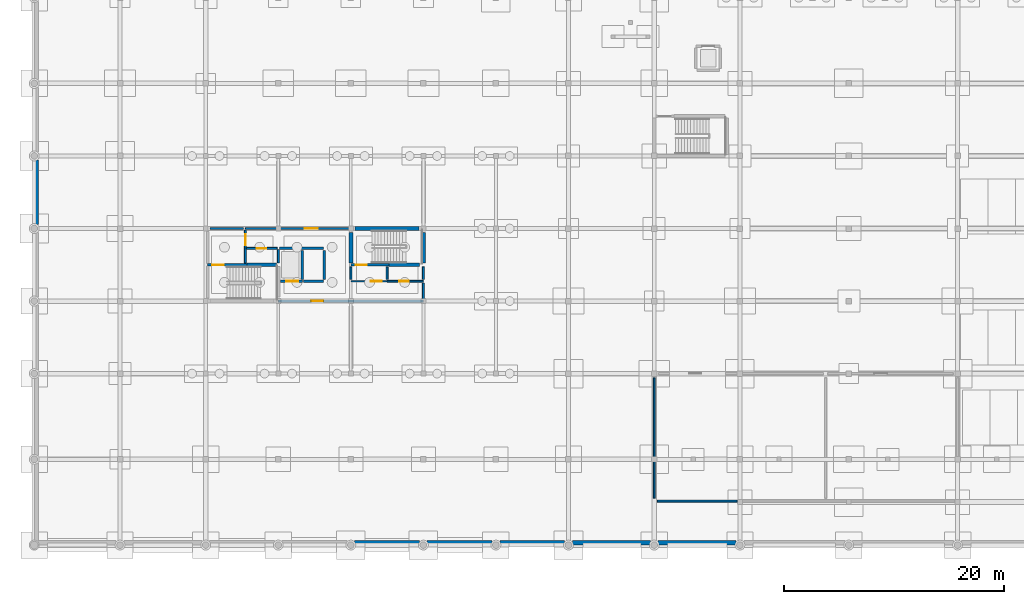
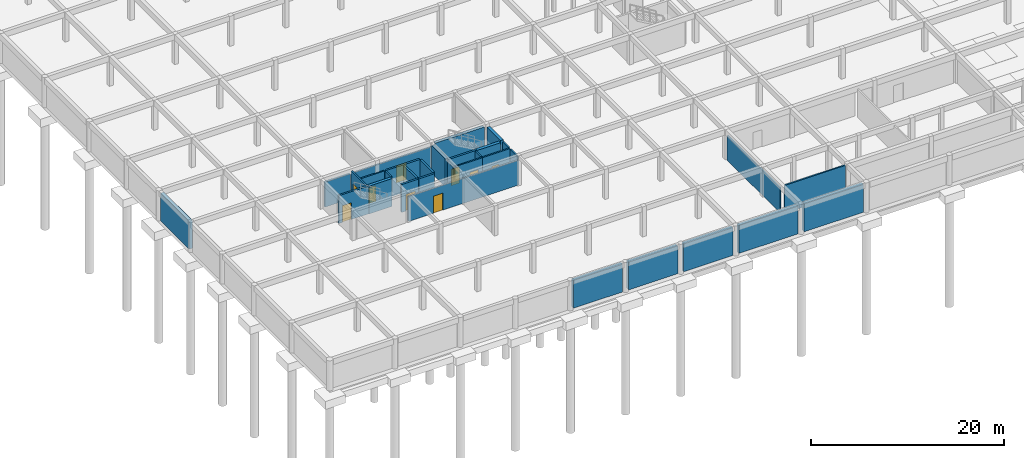
# One storey, part 23 of 37: 32 walls, 9 doors, 9 openings.
"""IFC4 building model written with IfcOpenShell, lengths in metres."""

from ifc_helpers import new_model, si_unit, direction, frame, frame_2d, origin, place, context, subcontext, project, spatial, rectangle, extrude, material, layer, layer_set, type_object, element, fill, save


model = new_model("IFC4")

# Units and contexts
model_context = context("Model", 3, precision=1e-05, world=origin(), true_north=direction((0.0, 1.0)))
body_context = subcontext(model_context, "Body", "Model", "MODEL_VIEW")
ifc_project = project(units=[si_unit("LENGTHUNIT", "METRE"), si_unit("AREAUNIT", "SQUARE_METRE"), si_unit("VOLUMEUNIT", "CUBIC_METRE"), si_unit("PLANEANGLEUNIT", "RADIAN"), si_unit("MASSUNIT", "GRAM", prefix="KILO")], contexts=[model_context])

# Site, building, storey
site_placement = place(None, origin())
site = spatial("IfcSite", under=ifc_project, at=site_placement, CompositionType="ELEMENT")
building_placement = place(site_placement, origin())
building = spatial("IfcBuilding", under=site, at=building_placement, Name="Kernevlak Ridge Housing Community", CompositionType="ELEMENT")
storey_placement = place(building_placement, frame((0.0, 0.0, -3.800048828125)))
storey = spatial("IfcBuildingStorey", under=building, at=storey_placement, Name="B1", CompositionType="ELEMENT", Elevation=-3.800048828125)

# Wall, opening, door
ifc_material_1 = material(Name="Concrete C35/45", Category="concrete")
ifc_layer_1 = layer(ifc_material_1, 0.22509765625, Name="Concrete C35/45")
ifc_layer_set_1 = layer_set([ifc_layer_1], Name="Concrete C35/45")
wall_type_1 = type_object("IfcWallType", Name="PW-01", PredefinedType="STANDARD", material=ifc_layer_set_1)
wall_1_placement = place(storey_placement, frame((15.75, 25.5, 0.0), z_axis=(0.0, 0.0, 1.0), x_axis=(1.0, 0.0, 0.0)))
wall_1 = element("IfcWall", 1, at=wall_1_placement, inside=storey, type_object=wall_type_1, Name="Interior wall PW-01 WAL-INT-B1-2896", PredefinedType="STANDARD", context=body_context, shape_type="SweptSolid", body=[
    extrude(rectangle(XDim=3.60009765625, YDim=0.22509765625, at=frame_2d((1.800048828125, 0.0))), origin(), (0.0, 0.0, 1.0), 3.52001953125),
])
opening_1_placement = place(wall_1_placement, frame((0.449951171875, 0.0, 0.0)))
opening_1 = element("IfcOpeningElement", 2, at=opening_1_placement, cuts=wall_1, Name="Opening E471", PredefinedType="OPENING", context=body_context, shape_type="SweptSolid", body=[
    extrude(rectangle(XDim=1.0400390625, YDim=2.1201171875, at=frame_2d((0.52001953125, 1.06005859375))), frame((0.0, 0.12255859375, 0.0), z_axis=(0.0, -1.0, 0.0), x_axis=(1.0, 0.0, 0.0)), (0.0, 0.0, 1.0), 0.2451171875),
])
ifc_material_2 = material(Name="Fire-rated sheet steel leaf", Category="steel")
door_type_1 = type_object("IfcDoorType", Name="DT-16", OperationType="NOTDEFINED", PredefinedType="DOOR", material=ifc_material_2)
door_1_placement = place(opening_1_placement, origin())
door_1 = element("IfcDoor", 3, at=door_1_placement, inside=storey, type_object=door_type_1, Name="Block D Stair 1 fire door E471", OperationType="SINGLE_SWING_RIGHT", OverallHeight=2.1201171875, OverallWidth=1.0400390625, PredefinedType="DOOR", context=body_context, shape_type="SweptSolid", body=[
    extrude(rectangle(XDim=1.0400390625, YDim=2.1201171875, at=frame_2d((0.52001953125, 1.06005859375))), frame((0.0, 0.02490234375, 0.0), z_axis=(0.0, -1.0, 0.0), x_axis=(1.0, 0.0, 0.0)), (0.0, 0.0, 1.0), 0.050048828125),
])
fill(opening_1, door_1)

wall_2_placement = place(storey_placement, frame((22.385009765625, 24.0, 0.0), z_axis=(0.0, 0.0, 1.0), x_axis=(1.0, 0.0, 0.0)))
wall_2 = element("IfcWall", 4, at=wall_2_placement, inside=storey, type_object=wall_type_1, Name="Interior wall PW-01 WAL-INT-B1-2900", PredefinedType="STANDARD", context=body_context, shape_type="SweptSolid", body=[
    extrude(rectangle(XDim=2.014892578125, YDim=0.22509765625, at=frame_2d((1.00732421875, 0.0))), origin(), (0.0, 0.0, 1.0), 3.52001953125),
])
opening_2_placement = place(wall_2_placement, frame((0.550048828125, 0.0, 0.0)))
opening_2 = element("IfcOpeningElement", 5, at=opening_2_placement, cuts=wall_2, Name="Opening LD77", PredefinedType="OPENING", context=body_context, shape_type="SweptSolid", body=[
    extrude(rectangle(XDim=1.10009765625, YDim=2.10009765625, at=frame_2d((0.550048828125, 1.050048828125))), frame((0.0, 0.12255859375, 0.0), z_axis=(0.0, -1.0, 0.0), x_axis=(1.0, 0.0, 0.0)), (0.0, 0.0, 1.0), 0.2451171875),
])
ifc_material_3 = material(Name="Stainless steel EN 1.4401", Category="steel")
door_type_2 = type_object("IfcDoorType", Name="DT-LD1", OperationType="DOUBLE_DOOR_SLIDING", PredefinedType="DOOR", material=ifc_material_3)
door_2_placement = place(opening_2_placement, origin())
door_2 = element("IfcDoor", 6, at=door_2_placement, inside=storey, type_object=door_type_2, Name="Lift LF-D1 landing door LD77", OperationType="DOUBLE_DOOR_SLIDING", OverallHeight=2.10009765625, OverallWidth=1.10009765625, PredefinedType="DOOR", context=body_context, shape_type="SweptSolid", body=[
    extrude(rectangle(XDim=1.10009765625, YDim=2.10009765625, at=frame_2d((0.550048828125, 1.050048828125))), frame((0.0, 0.02490234375, 0.0), z_axis=(0.0, -1.0, 0.0), x_axis=(1.0, 0.0, 0.0)), (0.0, 0.0, 1.0), 0.050048828125),
])
fill(opening_2, door_2)

# Walls
wall_3_placement = place(storey_placement, frame((24.47998046875, 24.0, 0.0), z_axis=(0.0, 0.0, 1.0), x_axis=(1.0, 0.0, 0.0)))
element("IfcWall", 7, at=wall_3_placement, inside=storey, type_object=wall_type_1, Name="Interior wall PW-01 WAL-INT-B1-2901", PredefinedType="STANDARD", context=body_context, shape_type="SweptSolid", body=[
    extrude(rectangle(XDim=1.840087890625, YDim=0.22509765625, at=frame_2d((0.919921875, 0.0))), origin(), (0.0, 0.0, 1.0), 3.52001953125),
])
wall_4_placement = place(storey_placement, frame((22.297607421875, 27.0, 0.0), z_axis=(0.0, 0.0, 1.0), x_axis=(1.0, 0.0, 0.0)))
element("IfcWall", 8, at=wall_4_placement, inside=storey, type_object=wall_type_1, Name="Interior wall PW-01 WAL-INT-B1-2902", PredefinedType="STANDARD", context=body_context, shape_type="SweptSolid", body=[
    extrude(rectangle(XDim=4.0224609375, YDim=0.22509765625, at=frame_2d((2.01123046875, 0.0))), origin(), (0.0, 0.0, 1.0), 3.52001953125),
])
for number, where, z_axis, x_axis, name in (
    (9, (24.39990234375, 24.179931640625, 0.0), (0.0, 0.0, 1.0), (0.0, 1.0, 0.0), "Interior wall PW-01 WAL-INT-B1-2904"),
    (10, (26.39990234375, 24.179931640625, 0.0), (0.0, 0.0, 1.0), (0.0, 1.0, 0.0), "Interior wall PW-01 WAL-INT-B1-2905"),
):
    element("IfcWall", number, at=place(storey_placement, frame(where, z_axis=z_axis, x_axis=x_axis)), inside=storey, type_object=wall_type_1, Name=name, PredefinedType="STANDARD", context=body_context, shape_type="SweptSolid", body=[
        extrude(rectangle(XDim=2.64013671875, YDim=0.22509765625, at=frame_2d((1.320068359375, 0.0))), origin(), (0.0, 0.0, 1.0), 3.52001953125),
    ])

# Wall, opening, door
wall_5_placement = place(storey_placement, frame((28.800048828125, 25.5, 0.0), z_axis=(0.0, 0.0, 1.0), x_axis=(1.0, 0.0, 0.0)))
wall_5 = element("IfcWall", 11, at=wall_5_placement, inside=storey, type_object=wall_type_1, Name="Interior wall PW-01 WAL-INT-B1-2906", PredefinedType="STANDARD", context=body_context, shape_type="SweptSolid", body=[
    extrude(rectangle(XDim=3.449951171875, YDim=0.22509765625, at=frame_2d((1.72509765625, 0.0))), origin(), (0.0, 0.0, 1.0), 3.52001953125),
])
opening_3_placement = place(wall_5_placement, frame((0.449951171875, 0.0, 0.0)))
opening_3 = element("IfcOpeningElement", 12, at=opening_3_placement, cuts=wall_5, Name="Opening E474", PredefinedType="OPENING", context=body_context, shape_type="SweptSolid", body=[
    extrude(rectangle(XDim=1.0, YDim=2.10009765625, at=frame_2d((0.5, 1.050048828125))), frame((0.0, 0.12255859375, 0.0), z_axis=(0.0, -1.0, 0.0), x_axis=(1.0, 0.0, 0.0)), (0.0, 0.0, 1.0), 0.2451171875),
])
door_type_3 = type_object("IfcDoorType", Name="DT-05", OperationType="NOTDEFINED", PredefinedType="DOOR", material=ifc_material_2)
door_3_placement = place(opening_3_placement, origin())
door_3 = element("IfcDoor", 13, at=door_3_placement, inside=storey, type_object=door_type_3, Name="Block D Stair 2 fire door E474", OperationType="SINGLE_SWING_LEFT", OverallHeight=2.10009765625, OverallWidth=1.0, PredefinedType="DOOR", context=body_context, shape_type="SweptSolid", body=[
    extrude(rectangle(XDim=1.0, YDim=2.10009765625, at=frame_2d((0.5, 1.050048828125))), frame((0.0, 0.02490234375, 0.0), z_axis=(0.0, -1.0, 0.0), x_axis=(1.0, 0.0, 0.0)), (0.0, 0.0, 1.0), 0.050048828125),
])
fill(opening_3, door_3)

# Wall
wall_6_placement = place(storey_placement, frame((15.97998046875, 28.800048828125, 0.0), z_axis=(0.0, 0.0, 1.0), x_axis=(1.0, 0.0, 0.0)))
element("IfcWall", 14, at=wall_6_placement, inside=storey, type_object=wall_type_1, Name="Interior wall PW-01 WAL-INT-B1-2915", PredefinedType="STANDARD", context=body_context, shape_type="SweptSolid", body=[
    extrude(rectangle(XDim=3.0400390625, YDim=0.22509765625, at=frame_2d((1.52001953125, 0.0))), origin(), (0.0, 0.0, 1.0), 3.150146484375),
])

# Wall, opening, door
ifc_material_4 = material(Name="Concrete block masonry M10", Category="masonry")
ifc_layer_2 = layer(ifc_material_4, 0.175048828125, Name="Concrete block masonry M10")
ifc_layer_set_2 = layer_set([ifc_layer_2], Name="Concrete block masonry M10")
wall_type_2 = type_object("IfcWallType", Name="PW-02", PredefinedType="PARTITIONING", material=ifc_layer_set_2)
wall_7_placement = place(storey_placement, frame((19.199951171875, 25.64990234375, 0.0), z_axis=(0.0, 0.0, 1.0), x_axis=(0.0, 1.0, 0.0)))
wall_7 = element("IfcWall", 15, at=wall_7_placement, inside=storey, type_object=wall_type_2, Name="Interior wall PW-02 WAL-INT-B1-2897", PredefinedType="PARTITIONING", context=body_context, shape_type="SweptSolid", body=[
    extrude(rectangle(XDim=3.0, YDim=0.175048828125, at=frame_2d((1.5, 0.0))), origin(), (0.0, 0.0, 1.0), 3.52001953125),
])
opening_4_placement = place(wall_7_placement, frame((1.64990234375, 0.0, 0.0)))
opening_4 = element("IfcOpeningElement", 16, at=opening_4_placement, cuts=wall_7, Name="Opening E472", PredefinedType="OPENING", context=body_context, shape_type="SweptSolid", body=[
    extrude(rectangle(XDim=1.0, YDim=2.10009765625, at=frame_2d((0.5, 1.050048828125))), frame((0.0, 0.097412109375, 0.0), z_axis=(0.0, -1.0, 0.0), x_axis=(1.0, 0.0, 0.0)), (0.0, 0.0, 1.0), 0.195068359375),
])
door_4_placement = place(opening_4_placement, origin())
door_4 = element("IfcDoor", 17, at=door_4_placement, inside=storey, type_object=door_type_3, Name="Block D Firefighting lobby 1 door E472", OperationType="SINGLE_SWING_LEFT", OverallHeight=2.10009765625, OverallWidth=1.0, PredefinedType="DOOR", context=body_context, shape_type="SweptSolid", body=[
    extrude(rectangle(XDim=1.0, YDim=2.10009765625, at=frame_2d((0.5, 1.050048828125))), frame((0.0, 0.02490234375, 0.0), z_axis=(0.0, -1.0, 0.0), x_axis=(1.0, 0.0, 0.0)), (0.0, 0.0, 1.0), 0.050048828125),
])
fill(opening_4, door_4)

wall_8_placement = place(storey_placement, frame((19.300048828125, 27.0, 0.0), z_axis=(0.0, 0.0, 1.0), x_axis=(1.0, 0.0, 0.0)))
wall_8 = element("IfcWall", 18, at=wall_8_placement, inside=storey, type_object=wall_type_2, Name="Interior wall PW-02 WAL-INT-B1-2898", PredefinedType="PARTITIONING", context=body_context, shape_type="SweptSolid", body=[
    extrude(rectangle(XDim=2.800048828125, YDim=0.175048828125, at=frame_2d((1.39990234375, 0.0))), origin(), (0.0, 0.0, 1.0), 3.52001953125),
])
opening_5_placement = place(wall_8_placement, frame((0.949951171875, 0.0, 0.0)))
opening_5 = element("IfcOpeningElement", 19, at=opening_5_placement, cuts=wall_8, Name="Opening E473", PredefinedType="OPENING", context=body_context, shape_type="SweptSolid", body=[
    extrude(rectangle(XDim=0.85009765625, YDim=2.0, at=frame_2d((0.425048828125, 1.0))), frame((0.0, 0.097412109375, 0.0), z_axis=(0.0, -1.0, 0.0), x_axis=(1.0, 0.0, 0.0)), (0.0, 0.0, 1.0), 0.195068359375),
])
door_type_4 = type_object("IfcDoorType", Name="DT-07", OperationType="NOTDEFINED", PredefinedType="DOOR", material=ifc_material_2)
door_5_placement = place(opening_5_placement, origin())
door_5 = element("IfcDoor", 20, at=door_5_placement, inside=storey, type_object=door_type_4, Name="Block D Riser shaft door E473", OperationType="SINGLE_SWING_RIGHT", OverallHeight=2.0, OverallWidth=0.85009765625, PredefinedType="DOOR", context=body_context, shape_type="SweptSolid", body=[
    extrude(rectangle(XDim=0.85009765625, YDim=2.0, at=frame_2d((0.425048828125, 1.0))), frame((0.0, 0.02490234375, 0.0), z_axis=(0.0, -1.0, 0.0), x_axis=(1.0, 0.0, 0.0)), (0.0, 0.0, 1.0), 0.050048828125),
])
fill(opening_5, door_5)

# Wall
wall_9_placement = place(storey_placement, frame((22.199951171875, 25.679931640625, 0.0), z_axis=(0.0, 0.0, 1.0), x_axis=(0.0, 1.0, 0.0)))
element("IfcWall", 21, at=wall_9_placement, inside=storey, type_object=wall_type_2, Name="Interior wall PW-02 WAL-INT-B1-2899", PredefinedType="PARTITIONING", context=body_context, shape_type="SweptSolid", body=[
    extrude(rectangle(XDim=1.190185546875, YDim=0.175048828125, at=frame_2d((0.59521484375, 0.0))), origin(), (0.0, 0.0, 1.0), 3.52001953125),
])

# Wall, opening, door
wall_10_placement = place(storey_placement, frame((28.800048828125, 24.0, 0.0), z_axis=(0.0, 0.0, 1.0), x_axis=(1.0, 0.0, 0.0)))
wall_10 = element("IfcWall", 22, at=wall_10_placement, inside=storey, type_object=wall_type_2, Name="Interior wall PW-02 WAL-INT-B1-2907", PredefinedType="PARTITIONING", context=body_context, shape_type="SweptSolid", body=[
    extrude(rectangle(XDim=3.300048828125, YDim=0.175048828125, at=frame_2d((1.64990234375, 0.0))), origin(), (0.0, 0.0, 1.0), 3.52001953125),
])
opening_6_placement = place(wall_10_placement, frame((1.800048828125, 0.0, 0.0)))
opening_6 = element("IfcOpeningElement", 23, at=opening_6_placement, cuts=wall_10, Name="Opening E475", PredefinedType="OPENING", context=body_context, shape_type="SweptSolid", body=[
    extrude(rectangle(XDim=1.0, YDim=2.159912109375, at=frame_2d((0.5, 1.080078125))), frame((0.0, 0.097412109375, 0.0), z_axis=(0.0, -1.0, 0.0), x_axis=(1.0, 0.0, 0.0)), (0.0, 0.0, 1.0), 0.195068359375),
])
door_type_5 = type_object("IfcDoorType", Name="DT-15", OperationType="NOTDEFINED", PredefinedType="DOOR", material=ifc_material_2)
door_6_placement = place(opening_6_placement, origin())
door_6 = element("IfcDoor", 24, at=door_6_placement, inside=storey, type_object=door_type_5, Name="Block D Firefighting lobby 2 door E475", OperationType="SINGLE_SWING_RIGHT", OverallHeight=2.159912109375, OverallWidth=1.0, PredefinedType="DOOR", context=body_context, shape_type="SweptSolid", body=[
    extrude(rectangle(XDim=1.0, YDim=2.159912109375, at=frame_2d((0.5, 1.080078125))), frame((0.0, 0.02490234375, 0.0), z_axis=(0.0, -1.0, 0.0), x_axis=(1.0, 0.0, 0.0)), (0.0, 0.0, 1.0), 0.050048828125),
])
fill(opening_6, door_6)

wall_11_placement = place(storey_placement, frame((32.10009765625, 24.0, 0.0), z_axis=(0.0, 0.0, 1.0), x_axis=(1.0, 0.0, 0.0)))
wall_11 = element("IfcWall", 25, at=wall_11_placement, inside=storey, type_object=wall_type_2, Name="Interior wall PW-02 WAL-INT-B1-2908", PredefinedType="PARTITIONING", context=body_context, shape_type="SweptSolid", body=[
    extrude(rectangle(XDim=3.2998046875, YDim=0.175048828125, at=frame_2d((1.64990234375, 0.0))), origin(), (0.0, 0.0, 1.0), 3.52001953125),
])
opening_7_placement = place(wall_11_placement, frame((1.10009765625, 0.0, 0.0)))
opening_7 = element("IfcOpeningElement", 26, at=opening_7_placement, cuts=wall_11, Name="Opening E476", PredefinedType="OPENING", context=body_context, shape_type="SweptSolid", body=[
    extrude(rectangle(XDim=0.85009765625, YDim=2.0, at=frame_2d((0.425048828125, 1.0))), frame((0.0, 0.097412109375, 0.0), z_axis=(0.0, -1.0, 0.0), x_axis=(1.0, 0.0, 0.0)), (0.0, 0.0, 1.0), 0.195068359375),
])
door_7_placement = place(opening_7_placement, origin())
door_7 = element("IfcDoor", 27, at=door_7_placement, inside=storey, type_object=door_type_4, Name="Block D Cleaner store door E476", OperationType="SINGLE_SWING_LEFT", OverallHeight=2.0, OverallWidth=0.85009765625, PredefinedType="DOOR", context=body_context, shape_type="SweptSolid", body=[
    extrude(rectangle(XDim=0.85009765625, YDim=2.0, at=frame_2d((0.425048828125, 1.0))), frame((0.0, 0.02490234375, 0.0), z_axis=(0.0, -1.0, 0.0), x_axis=(1.0, 0.0, 0.0)), (0.0, 0.0, 1.0), 0.050048828125),
])
fill(opening_7, door_7)

# Walls
wall_12_placement = place(storey_placement, frame((28.800048828125, 24.179931640625, 0.0), z_axis=(0.0, 0.0, 1.0), x_axis=(0.0, 1.0, 0.0)))
element("IfcWall", 28, at=wall_12_placement, inside=storey, type_object=wall_type_2, Name="Interior wall PW-02 WAL-INT-B1-2909", PredefinedType="PARTITIONING", context=body_context, shape_type="SweptSolid", body=[
    extrude(rectangle(XDim=1.14013671875, YDim=0.175048828125, at=frame_2d((0.570068359375, 0.0))), origin(), (0.0, 0.0, 1.0), 3.35009765625),
])
for number, where, z_axis, x_axis, name in (
    (29, (32.10009765625, 24.179931640625, 0.0), (0.0, 0.0, 1.0), (0.0, 1.0, 0.0), "Interior wall PW-02 WAL-INT-B1-2910"),
    (30, (35.39990234375, 24.179931640625, 0.0), (0.0, 0.0, 1.0), (0.0, 1.0, 0.0), "Interior wall PW-02 WAL-INT-B1-2911"),
):
    element("IfcWall", number, at=place(storey_placement, frame(where, z_axis=z_axis, x_axis=x_axis)), inside=storey, type_object=wall_type_2, Name=name, PredefinedType="PARTITIONING", context=body_context, shape_type="SweptSolid", body=[
        extrude(rectangle(XDim=1.14013671875, YDim=0.175048828125, at=frame_2d((0.570068359375, 0.0))), origin(), (0.0, 0.0, 1.0), 3.52001953125),
    ])

# Wall, opening, door
wall_13_placement = place(storey_placement, frame((22.199951171875, 22.199951171875, 0.0), z_axis=(0.0, 0.0, 1.0), x_axis=(1.0, 0.0, 0.0)))
wall_13 = element("IfcWall", 31, at=wall_13_placement, inside=storey, type_object=wall_type_2, Name="Interior wall PW-02 WAL-INT-B1-2912", PredefinedType="PARTITIONING", context=body_context, shape_type="SweptSolid", body=[
    extrude(rectangle(XDim=13.199951171875, YDim=0.175048828125, at=frame_2d((6.60009765625, 0.0))), origin(), (0.0, 0.0, 1.0), 3.150146484375),
])
opening_8_placement = place(wall_13_placement, frame((3.0, 0.0, 0.0)))
opening_8 = element("IfcOpeningElement", 32, at=opening_8_placement, cuts=wall_13, Name="Opening E477", PredefinedType="OPENING", context=body_context, shape_type="SweptSolid", body=[
    extrude(rectangle(XDim=1.10009765625, YDim=2.14990234375, at=frame_2d((0.550048828125, 1.074951171875))), frame((0.0, 0.097412109375, 0.0), z_axis=(0.0, -1.0, 0.0), x_axis=(1.0, 0.0, 0.0)), (0.0, 0.0, 1.0), 0.195068359375),
])
door_type_6 = type_object("IfcDoorType", Name="DT-06", OperationType="NOTDEFINED", PredefinedType="DOOR", material=ifc_material_2)
door_8_placement = place(opening_8_placement, origin())
door_8 = element("IfcDoor", 33, at=door_8_placement, inside=storey, type_object=door_type_6, Name="Block D B1 car park lobby door E477", OperationType="SINGLE_SWING_RIGHT", OverallHeight=2.14990234375, OverallWidth=1.10009765625, PredefinedType="DOOR", context=body_context, shape_type="SweptSolid", body=[
    extrude(rectangle(XDim=1.10009765625, YDim=2.14990234375, at=frame_2d((0.550048828125, 1.074951171875))), frame((0.0, 0.02490234375, 0.0), z_axis=(0.0, -1.0, 0.0), x_axis=(1.0, 0.0, 0.0)), (0.0, 0.0, 1.0), 0.050048828125),
])
fill(opening_8, door_8)

wall_14_placement = place(storey_placement, frame((19.199951171875, 28.800048828125, 0.0), z_axis=(0.0, 0.0, 1.0), x_axis=(1.0, 0.0, 0.0)))
wall_14 = element("IfcWall", 34, at=wall_14_placement, inside=storey, type_object=wall_type_2, Name="Interior wall PW-02 WAL-INT-B1-2913", PredefinedType="PARTITIONING", context=body_context, shape_type="SweptSolid", body=[
    extrude(rectangle(XDim=9.60009765625, YDim=0.175048828125, at=frame_2d((4.800048828125, 0.0))), origin(), (0.0, 0.0, 1.0), 3.150146484375),
])
opening_9_placement = place(wall_14_placement, frame((5.39990234375, 0.0, 0.0)))
opening_9 = element("IfcOpeningElement", 35, at=opening_9_placement, cuts=wall_14, Name="Opening E478", PredefinedType="OPENING", context=body_context, shape_type="SweptSolid", body=[
    extrude(rectangle(XDim=1.199951171875, YDim=2.179931640625, at=frame_2d((0.60009765625, 1.08984375))), frame((0.0, 0.097412109375, 0.0), z_axis=(0.0, -1.0, 0.0), x_axis=(1.0, 0.0, 0.0)), (0.0, 0.0, 1.0), 0.195068359375),
])
door_type_7 = type_object("IfcDoorType", Name="DT-17", OperationType="NOTDEFINED", PredefinedType="DOOR", material=ifc_material_2)
door_9_placement = place(opening_9_placement, origin())
door_9 = element("IfcDoor", 36, at=door_9_placement, inside=storey, type_object=door_type_7, Name="Block D B1 north lobby door E478", OperationType="SINGLE_SWING_LEFT", OverallHeight=2.179931640625, OverallWidth=1.199951171875, PredefinedType="DOOR", context=body_context, shape_type="SweptSolid", body=[
    extrude(rectangle(XDim=1.199951171875, YDim=2.179931640625, at=frame_2d((0.60009765625, 1.08984375))), frame((0.0, 0.02490234375, 0.0), z_axis=(0.0, -1.0, 0.0), x_axis=(1.0, 0.0, 0.0)), (0.0, 0.0, 1.0), 0.050048828125),
])
fill(opening_9, door_9)

# Walls
wall_15_placement = place(storey_placement, frame((35.39990234375, 22.3798828125, 0.0), z_axis=(0.0, 0.0, 1.0), x_axis=(0.0, 1.0, 0.0)))
element("IfcWall", 37, at=wall_15_placement, inside=storey, type_object=wall_type_2, Name="Interior wall PW-02 WAL-INT-B1-2914", PredefinedType="PARTITIONING", context=body_context, shape_type="SweptSolid", body=[
    extrude(rectangle(XDim=1.440185546875, YDim=0.175048828125, at=frame_2d((0.72021484375, 0.0))), origin(), (0.0, 0.0, 1.0), 3.52001953125),
])
wall_16_placement = place(storey_placement, frame((56.679931640625, 4.0, 0.0), z_axis=(0.0, 0.0, 1.0), x_axis=(1.0, 0.0, 0.0)))
element("IfcWall", 38, at=wall_16_placement, inside=storey, type_object=wall_type_2, Name="Interior wall PW-02 WAL-INT-B1-3536", PredefinedType="PARTITIONING", context=body_context, shape_type="SweptSolid", body=[
    extrude(rectangle(XDim=7.26513671875, YDim=0.175048828125, at=frame_2d((3.632568359375, 0.0))), origin(), (0.0, 0.0, 1.0), 3.52001953125),
])
wall_17_placement = place(storey_placement, frame((56.39990234375, 4.280029296875, 0.0), z_axis=(0.0, 0.0, 1.0), x_axis=(0.0, 1.0, 0.0)))
element("IfcWall", 39, at=wall_17_placement, inside=storey, type_object=wall_type_2, Name="Interior wall PW-02 WAL-INT-B1-3537", PredefinedType="PARTITIONING", context=body_context, shape_type="SweptSolid", body=[
    extrude(rectangle(XDim=10.93994140625, YDim=0.175048828125, at=frame_2d((5.469970703125, 0.0))), origin(), (0.0, 0.0, 1.0), 3.10009765625),
])
ifc_material_5 = material(Name="Concrete C40/50", Category="concrete")
ifc_layer_3 = layer(ifc_material_5, 0.39990234375, Name="Concrete C40/50")
ifc_layer_set_3 = layer_set([ifc_layer_3], Name="Concrete C40/50")
wall_type_3 = type_object("IfcWallType", Name="RW-01", PredefinedType="USERDEFINED", material=ifc_layer_set_3)
wall_18_placement = place(storey_placement, frame((29.14990234375, 0.199951171875, 0.0), z_axis=(0.0, 0.0, 1.0), x_axis=(1.0, 0.0, 0.0)))
element("IfcWall", 40, at=wall_18_placement, inside=storey, type_object=wall_type_3, Name="Basement retaining wall RW-01 5", ObjectType="RETAININGWALL", PredefinedType="USERDEFINED", context=body_context, shape_type="SweptSolid", body=[
    extrude(rectangle(XDim=5.900146484375, YDim=0.39990234375, at=frame_2d((2.9501953125, 0.0))), origin(), (0.0, 0.0, 1.0), 3.52001953125),
])
for number, where, z_axis, x_axis, name in (
    (41, (35.75, 0.199951171875, 0.0), (0.0, 0.0, 1.0), (1.0, 0.0, 0.0), "Basement retaining wall RW-01 6"),
    (42, (42.35009765625, 0.199951171875, 0.0), (0.0, 0.0, 1.0), (1.0, 0.0, 0.0), "Basement retaining wall RW-01 7"),
):
    element("IfcWall", number, at=place(storey_placement, frame(where, z_axis=z_axis, x_axis=x_axis)), inside=storey, type_object=wall_type_3, Name=name, ObjectType="RETAININGWALL", PredefinedType="USERDEFINED", context=body_context, shape_type="SweptSolid", body=[
        extrude(rectangle(XDim=5.89990234375, YDim=0.39990234375, at=frame_2d((2.949951171875, 0.0))), origin(), (0.0, 0.0, 1.0), 3.52001953125),
    ])
for number, where, z_axis, x_axis, name in (
    (43, (48.949951171875, 0.199951171875, 0.0), (0.0, 0.0, 1.0), (1.0, 0.0, 0.0), "Basement retaining wall RW-01 8"),
    (44, (56.75, 0.199951171875, 0.0), (0.0, 0.0, 1.0), (1.0, 0.0, 0.0), "Basement retaining wall RW-01 9"),
):
    element("IfcWall", number, at=place(storey_placement, frame(where, z_axis=z_axis, x_axis=x_axis)), inside=storey, type_object=wall_type_3, Name=name, ObjectType="RETAININGWALL", PredefinedType="USERDEFINED", context=body_context, shape_type="SweptSolid", body=[
        extrude(rectangle(XDim=7.10009765625, YDim=0.39990234375, at=frame_2d((3.550048828125, 0.0))), origin(), (0.0, 0.0, 1.0), 3.52001953125),
    ])
wall_19_placement = place(storey_placement, frame((0.199951171875, 29.14990234375, 0.0), z_axis=(0.0, 0.0, 1.0), x_axis=(0.0, 1.0, 0.0)))
element("IfcWall", 45, at=wall_19_placement, inside=storey, type_object=wall_type_3, Name="Basement retaining wall RW-01 49", ObjectType="RETAININGWALL", PredefinedType="USERDEFINED", context=body_context, shape_type="SweptSolid", body=[
    extrude(rectangle(XDim=5.900146484375, YDim=0.39990234375, at=frame_2d((2.9501953125, 0.0))), origin(), (0.0, 0.0, 1.0), 3.52001953125),
])
ifc_layer_4 = layer(ifc_material_5, 0.35009765625, Name="Concrete C40/50")
ifc_layer_set_4 = layer_set([ifc_layer_4], Name="Concrete C40/50")
wall_type_4 = type_object("IfcWallType", Name="SW-01", PredefinedType="SHEAR", material=ifc_layer_set_4)
wall_20_placement = place(storey_placement, frame((19.35009765625, 25.5, 0.0), z_axis=(0.0, 0.0, 1.0), x_axis=(1.0, 0.0, 0.0)))
element("IfcWall", 46, at=wall_20_placement, inside=storey, type_object=wall_type_4, Name="Shear wall SW-01 Block D B1 498", PredefinedType="SHEAR", context=body_context, shape_type="SweptSolid", body=[
    extrude(rectangle(XDim=2.699951171875, YDim=0.35009765625, at=frame_2d((1.35009765625, 0.0))), origin(), (0.0, 0.0, 1.0), 3.52001953125),
])
wall_21_placement = place(storey_placement, frame((29.179931640625, 28.800048828125, 0.0), z_axis=(0.0, 0.0, 1.0), x_axis=(1.0, 0.0, 0.0)))
element("IfcWall", 47, at=wall_21_placement, inside=storey, type_object=wall_type_4, Name="Shear wall SW-01 Block D B1 500", PredefinedType="SHEAR", context=body_context, shape_type="SweptSolid", body=[
    extrude(rectangle(XDim=5.840087890625, YDim=0.35009765625, at=frame_2d((2.919921875, 0.0))), origin(), (0.0, 0.0, 1.0), 3.52001953125),
])
for number, where, z_axis, x_axis, name in (
    (48, (32.25, 25.5, 0.0), (0.0, 0.0, 1.0), (1.0, 0.0, 0.0), "Shear wall SW-01 Block D B1 501"),
    (49, (28.800048828125, 25.64990234375, 0.0), (0.0, 0.0, 1.0), (0.0, 1.0, 0.0), "Shear wall SW-01 Block D B1 502"),
    (50, (35.39990234375, 25.64990234375, 0.0), (0.0, 0.0, 1.0), (0.0, 1.0, 0.0), "Shear wall SW-01 Block D B1 503"),
):
    element("IfcWall", number, at=place(storey_placement, frame(where, z_axis=z_axis, x_axis=x_axis)), inside=storey, type_object=wall_type_4, Name=name, PredefinedType="SHEAR", context=body_context, shape_type="SweptSolid", body=[
        extrude(rectangle(XDim=2.800048828125, YDim=0.35009765625, at=frame_2d((1.39990234375, 0.0))), origin(), (0.0, 0.0, 1.0), 3.52001953125),
    ])

save(model, "model.ifc")
